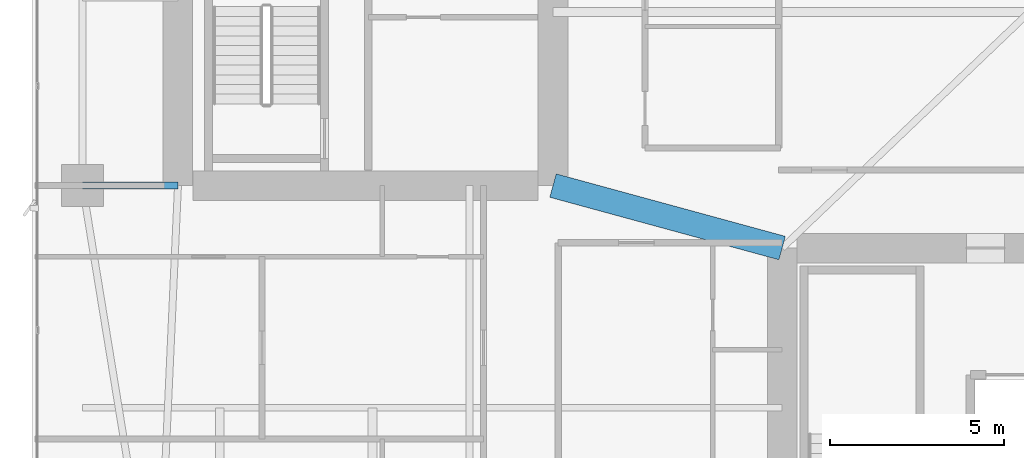
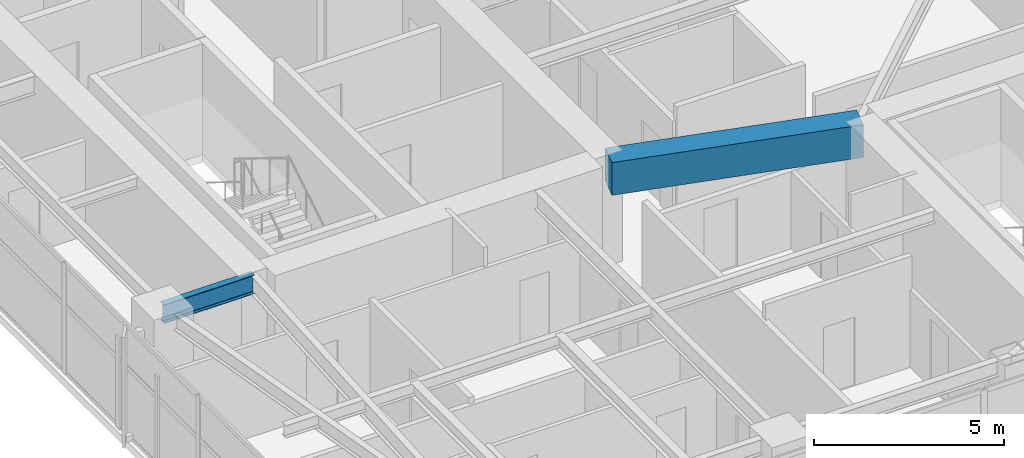
# One storey, part 7 of 28: 2 beams.
"""IFC4 building model written with IfcOpenShell, lengths in metres."""

from ifc_helpers import new_model, si_unit, direction, frame, origin, origin_2d, place, context, subcontext, project, spatial, rectangle, i_section, extrude, material, material_profile, profile_set, type_object, element, save


model = new_model("IFC4")

# Units and contexts
model_context = context("Model", 3, precision=1e-05, world=origin(), true_north=direction((0.0, 1.0)))
body_context = subcontext(model_context, "Body", "Model", "MODEL_VIEW")
ifc_project = project(units=[si_unit("LENGTHUNIT", "METRE"), si_unit("AREAUNIT", "SQUARE_METRE"), si_unit("VOLUMEUNIT", "CUBIC_METRE"), si_unit("PLANEANGLEUNIT", "RADIAN"), si_unit("MASSUNIT", "GRAM", prefix="KILO")], contexts=[model_context])

# Site, building, storey
site_placement = place(None, origin())
site = spatial("IfcSite", under=ifc_project, at=site_placement, CompositionType="ELEMENT")
building_placement = place(site_placement, origin())
building = spatial("IfcBuilding", under=site, at=building_placement, Name="Calvorn Quay Hotel", CompositionType="ELEMENT")
storey_placement = place(building_placement, frame((0.0, 0.0, 159.89990234375)))
storey = spatial("IfcBuildingStorey", under=building, at=storey_placement, Name="L39", CompositionType="ELEMENT", Elevation=159.89990234375)

# Beams
ifc_material_1 = material(Name="Steel Q355B", Category="steel")
ifc_material_profile_1 = material_profile(ifc_material_1, i_section(OverallWidth=0.199951171875, OverallDepth=0.60009765625, WebThickness=0.010986328125, FlangeThickness=0.01708984375, FilletRadius=0.01806640625, at=origin_2d()), Name="HN600x200x11x17")
ifc_profile_set_1 = profile_set([ifc_material_profile_1], Name="Steel Q355B")
beam_type_1 = type_object("IfcBeamType", Name="BM-GIRD-TYP", PredefinedType="BEAM", material=ifc_profile_set_1)
beam_1_placement = place(storey_placement, frame((1.449951171875, 16.800048828125, 3.239990234375), z_axis=(1.0, 0.0, 0.0), x_axis=(0.0, 1.0, 0.0)))
element("IfcBeam", 1, at=beam_1_placement, inside=storey, type_object=beam_type_1, Name="Beam BG-L39-W1", PredefinedType="BEAM", context=body_context, shape_type="SweptSolid", body=[
    extrude(i_section(OverallWidth=0.199951171875, OverallDepth=0.60009765625, WebThickness=0.010986328125, FlangeThickness=0.01708984375, FilletRadius=0.01806640625, at=origin_2d()), origin(), (0.0, 0.0, 1.0), 2.75),
])
ifc_material_2 = material(Name="Concrete C50", Category="concrete")
ifc_material_profile_2 = material_profile(ifc_material_2, rectangle(XDim=0.699951171875, YDim=1.050048828125, at=origin_2d()), Name="RCB700x1050")
ifc_profile_set_2 = profile_set([ifc_material_profile_2], Name="Concrete C50")
beam_type_2 = type_object("IfcBeamType", Name="BM-RC-LINK-700x1050", PredefinedType="BEAM", material=ifc_profile_set_2)
beam_2_placement = place(storey_placement, frame((15.0, 16.800048828125, 3.01513671875), z_axis=(0.964762997686, -0.263120425462, 0.0), x_axis=(0.263120425462, 0.964762997686, 0.0)))
element("IfcBeam", 2, at=beam_2_placement, inside=storey, type_object=beam_type_2, Name="Beam BCL-L39-01", PredefinedType="BEAM", context=body_context, shape_type="SweptSolid", body=[
    extrude(rectangle(XDim=0.699951171875, YDim=1.050048828125, at=origin_2d()), origin(), (0.0, 0.0, 1.0), 6.841064453125),
])

save(model, "model.ifc")
